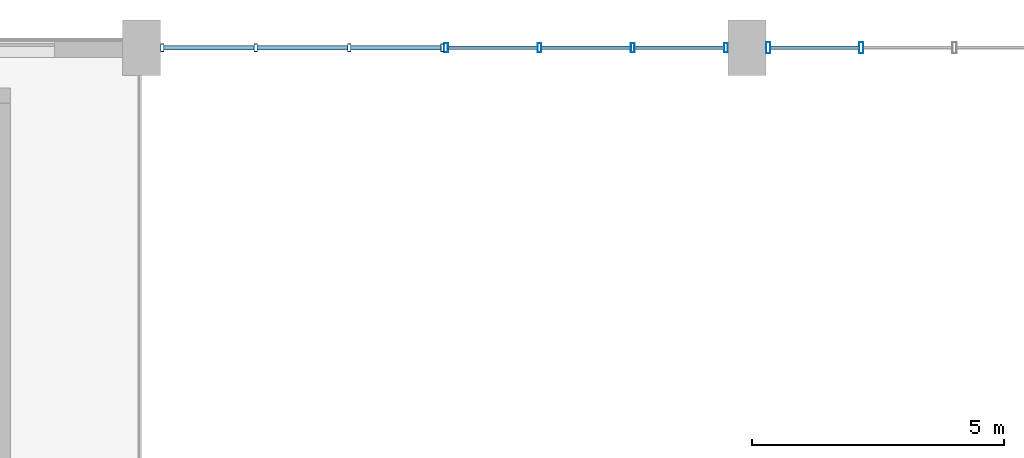
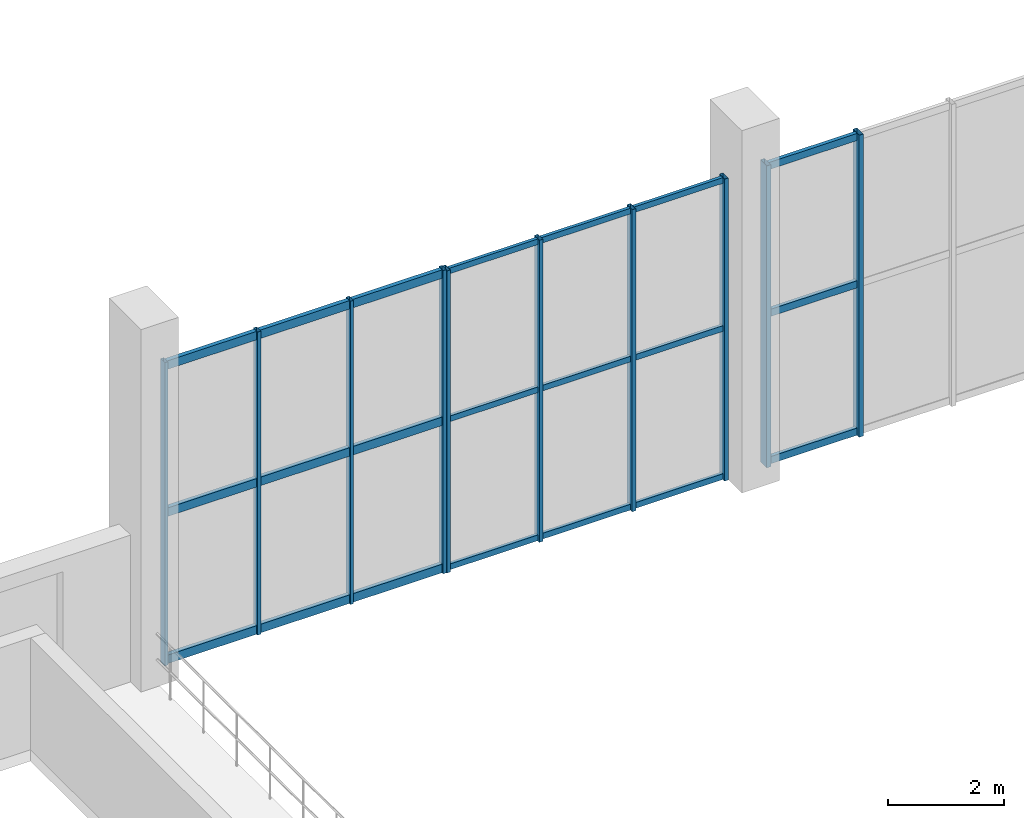
# One storey, part 14 of 28: 31 members, 3 elements without a shape of their own.
"""IFC4 building model written with IfcOpenShell, lengths in metres."""

from ifc_helpers import new_model, si_unit, direction, frame, origin, origin_2d, place, context, subcontext, project, spatial, hollow_rectangle, extrude, material, layer, layer_set, material_profile, profile_set, type_object, element, aggregate, save


model = new_model("IFC4")

# Units and contexts
model_context = context("Model", 3, precision=1e-05, world=origin(), true_north=direction((0.0, 1.0)))
body_context = subcontext(model_context, "Body", "Model", "MODEL_VIEW")
ifc_project = project(units=[si_unit("LENGTHUNIT", "METRE"), si_unit("AREAUNIT", "SQUARE_METRE"), si_unit("VOLUMEUNIT", "CUBIC_METRE"), si_unit("PLANEANGLEUNIT", "RADIAN"), si_unit("MASSUNIT", "GRAM", prefix="KILO"), si_unit("POWERUNIT", "WATT"), si_unit("THERMODYNAMICTEMPERATUREUNIT", "KELVIN")], contexts=[model_context])

# Site, building, storey
site_placement = place(None, origin())
site = spatial("IfcSite", under=ifc_project, at=site_placement, CompositionType="ELEMENT")
building_placement = place(site_placement, origin())
building = spatial("IfcBuilding", under=site, at=building_placement, Name="Kelmbourne Parkland Aquatics Centre", CompositionType="ELEMENT")
storey_placement = place(building_placement, frame((0.0, 0.0, 19.199951171875)))
storey = spatial("IfcBuildingStorey", under=building, at=storey_placement, Name="L04", CompositionType="ELEMENT", Elevation=19.199951171875)

# Curtain wall, members
ifc_material = material(Name="Thermally broken anodised aluminium framing", Category="aluminium")
ifc_layer_1 = layer(ifc_material, 0.179931640625)
ifc_layer_set_1 = layer_set([ifc_layer_1], Name="Thermally broken anodised aluminium framing")
curtain_wall_type_1 = type_object("IfcCurtainWallType", Name="CW-11", PredefinedType="NOTDEFINED", material=ifc_layer_set_1)
curtain_wall_1_placement = place(storey_placement, origin())
curtain_wall_1 = element("IfcCurtainWall", 1, at=curtain_wall_1_placement, inside=storey, type_object=curtain_wall_type_1, Name="Wave-hall clerestory curtain wall CW-L04-155", PredefinedType="NOTDEFINED")
ifc_material_profile_1 = material_profile(ifc_material, hollow_rectangle(XDim=0.06494140625, YDim=0.14990234375, WallThickness=0.00390625, at=origin_2d()), Name="CW-M 65x150")
ifc_profile_set_1 = profile_set([ifc_material_profile_1], Name="Thermally broken anodised aluminium framing")
member_type_1 = type_object("IfcMemberType", Name="MB-MUL-1", PredefinedType="MULLION", material=ifc_profile_set_1)
member_1_placement = place(storey_placement, frame((140.409423828125, 114.800048828125, 0.0), z_axis=(0.0, 0.0, 1.0), x_axis=(1.0, 0.0, 0.0)))
member_1 = element("IfcMember", 2, at=member_1_placement, type_object=member_type_1, Name="CW-L04-155 mullion 0", PredefinedType="MULLION", context=body_context, shape_type="SweptSolid", body=[
    extrude(hollow_rectangle(XDim=0.06494140625, YDim=0.14990234375, WallThickness=0.00390625, at=origin_2d()), origin(), (0.0, 0.0, 1.0), 6.400634765625),
])
member_2_placement = place(storey_placement, frame((142.26220703125, 114.800048828125, 0.0), z_axis=(0.0, 0.0, 1.0), x_axis=(1.0, 0.0, 0.0)))
member_2 = element("IfcMember", 3, at=member_2_placement, type_object=member_type_1, Name="CW-L04-155 mullion 1", PredefinedType="MULLION", context=body_context, shape_type="SweptSolid", body=[
    extrude(hollow_rectangle(XDim=0.06494140625, YDim=0.14990234375, WallThickness=0.00390625, at=origin_2d()), origin(), (0.0, 0.0, 1.0), 6.400634765625),
])
member_3_placement = place(storey_placement, frame((144.11474609375, 114.800048828125, 0.0), z_axis=(0.0, 0.0, 1.0), x_axis=(1.0, 0.0, 0.0)))
member_3 = element("IfcMember", 4, at=member_3_placement, type_object=member_type_1, Name="CW-L04-155 mullion 2", PredefinedType="MULLION", context=body_context, shape_type="SweptSolid", body=[
    extrude(hollow_rectangle(XDim=0.06494140625, YDim=0.14990234375, WallThickness=0.00390625, at=origin_2d()), origin(), (0.0, 0.0, 1.0), 6.400634765625),
])
member_4_placement = place(storey_placement, frame((145.967529296875, 114.800048828125, 0.0), z_axis=(0.0, 0.0, 1.0), x_axis=(1.0, 0.0, 0.0)))
member_4 = element("IfcMember", 5, at=member_4_placement, type_object=member_type_1, Name="CW-L04-155 mullion 3", PredefinedType="MULLION", context=body_context, shape_type="SweptSolid", body=[
    extrude(hollow_rectangle(XDim=0.06494140625, YDim=0.14990234375, WallThickness=0.00390625, at=origin_2d()), origin(), (0.0, 0.0, 1.0), 6.400634765625),
])

ifc_layer_2 = layer(ifc_material, 0.179931640625)
ifc_layer_set_2 = layer_set([ifc_layer_2], Name="Thermally broken anodised aluminium framing")
curtain_wall_type_2 = type_object("IfcCurtainWallType", Name="CW-12", PredefinedType="NOTDEFINED", material=ifc_layer_set_2)
curtain_wall_2_placement = place(storey_placement, origin())
curtain_wall_2 = element("IfcCurtainWall", 6, at=curtain_wall_2_placement, inside=storey, type_object=curtain_wall_type_2, Name="Wave-hall clerestory curtain wall CW-L04-156", PredefinedType="NOTDEFINED")
ifc_material_profile_2 = material_profile(ifc_material, hollow_rectangle(XDim=0.074951171875, YDim=0.179931640625, WallThickness=0.00439453125, at=origin_2d()), Name="CW-M 75x180")
ifc_profile_set_2 = profile_set([ifc_material_profile_2], Name="Thermally broken anodised aluminium framing")
member_type_2 = type_object("IfcMemberType", Name="MB-MUL-2", PredefinedType="MULLION", material=ifc_profile_set_2)
member_5_placement = place(storey_placement, frame((146.03759765625, 114.800048828125, 0.0), z_axis=(0.0, 0.0, 1.0), x_axis=(1.0, 0.0, 0.0)))
member_5 = element("IfcMember", 7, at=member_5_placement, type_object=member_type_2, Name="CW-L04-156 mullion 0", PredefinedType="MULLION", context=body_context, shape_type="SweptSolid", body=[
    extrude(hollow_rectangle(XDim=0.074951171875, YDim=0.179931640625, WallThickness=0.00439453125, at=origin_2d()), origin(), (0.0, 0.0, 1.0), 6.376953125),
])
member_6_placement = place(storey_placement, frame((147.88671875, 114.800048828125, 0.0), z_axis=(0.0, 0.0, 1.0), x_axis=(1.0, 0.0, 0.0)))
member_6 = element("IfcMember", 8, at=member_6_placement, type_object=member_type_2, Name="CW-L04-156 mullion 1", PredefinedType="MULLION", context=body_context, shape_type="SweptSolid", body=[
    extrude(hollow_rectangle(XDim=0.074951171875, YDim=0.179931640625, WallThickness=0.00439453125, at=origin_2d()), origin(), (0.0, 0.0, 1.0), 6.376953125),
])
member_7_placement = place(storey_placement, frame((149.736083984375, 114.800048828125, 0.0), z_axis=(0.0, 0.0, 1.0), x_axis=(1.0, 0.0, 0.0)))
member_7 = element("IfcMember", 9, at=member_7_placement, type_object=member_type_2, Name="CW-L04-156 mullion 2", PredefinedType="MULLION", context=body_context, shape_type="SweptSolid", body=[
    extrude(hollow_rectangle(XDim=0.074951171875, YDim=0.179931640625, WallThickness=0.00439453125, at=origin_2d()), origin(), (0.0, 0.0, 1.0), 6.376953125),
])
member_8_placement = place(storey_placement, frame((151.58544921875, 114.800048828125, 0.0), z_axis=(0.0, 0.0, 1.0), x_axis=(1.0, 0.0, 0.0)))
member_8 = element("IfcMember", 10, at=member_8_placement, type_object=member_type_2, Name="CW-L04-156 mullion 3", PredefinedType="MULLION", context=body_context, shape_type="SweptSolid", body=[
    extrude(hollow_rectangle(XDim=0.074951171875, YDim=0.179931640625, WallThickness=0.00439453125, at=origin_2d()), origin(), (0.0, 0.0, 1.0), 6.376953125),
])

ifc_layer_3 = layer(ifc_material, 0.179931640625)
ifc_layer_set_3 = layer_set([ifc_layer_3], Name="Thermally broken anodised aluminium framing")
curtain_wall_type_3 = type_object("IfcCurtainWallType", Name="CW-13", PredefinedType="NOTDEFINED", material=ifc_layer_set_3)
curtain_wall_3_placement = place(storey_placement, origin())
curtain_wall_3 = element("IfcCurtainWall", 11, at=curtain_wall_3_placement, inside=storey, type_object=curtain_wall_type_3, Name="Wave-hall clerestory curtain wall CW-L04-157", PredefinedType="NOTDEFINED")
ifc_material_profile_3 = material_profile(ifc_material, hollow_rectangle(XDim=0.0849609375, YDim=0.219970703125, WallThickness=0.0048828125, at=origin_2d()), Name="CW-M 85x220")
ifc_profile_set_3 = profile_set([ifc_material_profile_3], Name="Thermally broken anodised aluminium framing")
member_type_3 = type_object("IfcMemberType", Name="MB-MUL-3", PredefinedType="MULLION", material=ifc_profile_set_3)
member_9_placement = place(storey_placement, frame((152.41943359375, 114.800048828125, 0.0), z_axis=(0.0, 0.0, 1.0), x_axis=(1.0, 0.0, 0.0)))
member_9 = element("IfcMember", 12, at=member_9_placement, type_object=member_type_3, Name="CW-L04-157 mullion 0", PredefinedType="MULLION", context=body_context, shape_type="SweptSolid", body=[
    extrude(hollow_rectangle(XDim=0.0849609375, YDim=0.219970703125, WallThickness=0.0048828125, at=origin_2d()), origin(), (0.0, 0.0, 1.0), 6.376953125),
])
member_10_placement = place(storey_placement, frame((154.265380859375, 114.800048828125, 0.0), z_axis=(0.0, 0.0, 1.0), x_axis=(1.0, 0.0, 0.0)))
member_10 = element("IfcMember", 13, at=member_10_placement, type_object=member_type_3, Name="CW-L04-157 mullion 1", PredefinedType="MULLION", context=body_context, shape_type="SweptSolid", body=[
    extrude(hollow_rectangle(XDim=0.0849609375, YDim=0.219970703125, WallThickness=0.0048828125, at=origin_2d()), origin(), (0.0, 0.0, 1.0), 6.376953125),
])

# Member
ifc_material_profile_4 = material_profile(ifc_material, hollow_rectangle(XDim=0.06494140625, YDim=0.1201171875, WallThickness=0.00341796875, at=origin_2d()), Name="CW-T 65x120")
ifc_profile_set_4 = profile_set([ifc_material_profile_4], Name="Thermally broken anodised aluminium framing")
member_type_4 = type_object("IfcMemberType", Name="MB-TRN-1", PredefinedType="USERDEFINED", material=ifc_profile_set_4)
member_11_placement = place(storey_placement, frame((146.071044921875, 114.800048828125, 0.06298828125), z_axis=(1.0, 0.0, 0.0), x_axis=(0.0, 1.0, 0.0)))
member_11 = element("IfcMember", 14, at=member_11_placement, type_object=member_type_4, Name="CW-L04-156 transom 0-0", ObjectType="TRANSOM", PredefinedType="USERDEFINED", context=body_context, shape_type="SweptSolid", body=[
    extrude(hollow_rectangle(XDim=0.06494140625, YDim=0.1201171875, WallThickness=0.00341796875, at=origin_2d()), origin(), (0.0, 0.0, 1.0), 1.7822265625),
])

member_12_placement = place(storey_placement, frame((147.92041015625, 114.800048828125, 0.06298828125), z_axis=(1.0, 0.0, 0.0), x_axis=(0.0, 1.0, 0.0)))
member_12 = element("IfcMember", 15, at=member_12_placement, type_object=member_type_4, Name="CW-L04-156 transom 0-1", ObjectType="TRANSOM", PredefinedType="USERDEFINED", context=body_context, shape_type="SweptSolid", body=[
    extrude(hollow_rectangle(XDim=0.06494140625, YDim=0.1201171875, WallThickness=0.00341796875, at=origin_2d()), origin(), (0.0, 0.0, 1.0), 1.7822265625),
])

member_13_placement = place(storey_placement, frame((149.769775390625, 114.800048828125, 0.06298828125), z_axis=(1.0, 0.0, 0.0), x_axis=(0.0, 1.0, 0.0)))
member_13 = element("IfcMember", 16, at=member_13_placement, type_object=member_type_4, Name="CW-L04-156 transom 0-2", ObjectType="TRANSOM", PredefinedType="USERDEFINED", context=body_context, shape_type="SweptSolid", body=[
    extrude(hollow_rectangle(XDim=0.06494140625, YDim=0.1201171875, WallThickness=0.00341796875, at=origin_2d()), origin(), (0.0, 0.0, 1.0), 1.7822265625),
])

member_14_placement = place(storey_placement, frame((146.071044921875, 114.800048828125, 3.1884765625), z_axis=(1.0, 0.0, 0.0), x_axis=(0.0, 1.0, 0.0)))
member_14 = element("IfcMember", 17, at=member_14_placement, type_object=member_type_4, Name="CW-L04-156 transom 1-0", ObjectType="TRANSOM", PredefinedType="USERDEFINED", context=body_context, shape_type="SweptSolid", body=[
    extrude(hollow_rectangle(XDim=0.06494140625, YDim=0.1201171875, WallThickness=0.00341796875, at=origin_2d()), origin(), (0.0, 0.0, 1.0), 1.7822265625),
])

member_15_placement = place(storey_placement, frame((147.92041015625, 114.800048828125, 3.1884765625), z_axis=(1.0, 0.0, 0.0), x_axis=(0.0, 1.0, 0.0)))
member_15 = element("IfcMember", 18, at=member_15_placement, type_object=member_type_4, Name="CW-L04-156 transom 1-1", ObjectType="TRANSOM", PredefinedType="USERDEFINED", context=body_context, shape_type="SweptSolid", body=[
    extrude(hollow_rectangle(XDim=0.06494140625, YDim=0.1201171875, WallThickness=0.00341796875, at=origin_2d()), origin(), (0.0, 0.0, 1.0), 1.7822265625),
])

member_16_placement = place(storey_placement, frame((149.769775390625, 114.800048828125, 3.1884765625), z_axis=(1.0, 0.0, 0.0), x_axis=(0.0, 1.0, 0.0)))
member_16 = element("IfcMember", 19, at=member_16_placement, type_object=member_type_4, Name="CW-L04-156 transom 1-2", ObjectType="TRANSOM", PredefinedType="USERDEFINED", context=body_context, shape_type="SweptSolid", body=[
    extrude(hollow_rectangle(XDim=0.06494140625, YDim=0.1201171875, WallThickness=0.00341796875, at=origin_2d()), origin(), (0.0, 0.0, 1.0), 1.7822265625),
])

member_17_placement = place(storey_placement, frame((146.071044921875, 114.800048828125, 6.31396484375), z_axis=(1.0, 0.0, 0.0), x_axis=(0.0, 1.0, 0.0)))
member_17 = element("IfcMember", 20, at=member_17_placement, type_object=member_type_4, Name="CW-L04-156 transom 2-0", ObjectType="TRANSOM", PredefinedType="USERDEFINED", context=body_context, shape_type="SweptSolid", body=[
    extrude(hollow_rectangle(XDim=0.06494140625, YDim=0.1201171875, WallThickness=0.00341796875, at=origin_2d()), origin(), (0.0, 0.0, 1.0), 1.7822265625),
])

member_18_placement = place(storey_placement, frame((147.92041015625, 114.800048828125, 6.31396484375), z_axis=(1.0, 0.0, 0.0), x_axis=(0.0, 1.0, 0.0)))
member_18 = element("IfcMember", 21, at=member_18_placement, type_object=member_type_4, Name="CW-L04-156 transom 2-1", ObjectType="TRANSOM", PredefinedType="USERDEFINED", context=body_context, shape_type="SweptSolid", body=[
    extrude(hollow_rectangle(XDim=0.06494140625, YDim=0.1201171875, WallThickness=0.00341796875, at=origin_2d()), origin(), (0.0, 0.0, 1.0), 1.7822265625),
])

member_19_placement = place(storey_placement, frame((149.769775390625, 114.800048828125, 6.31396484375), z_axis=(1.0, 0.0, 0.0), x_axis=(0.0, 1.0, 0.0)))
member_19 = element("IfcMember", 22, at=member_19_placement, type_object=member_type_4, Name="CW-L04-156 transom 2-2", ObjectType="TRANSOM", PredefinedType="USERDEFINED", context=body_context, shape_type="SweptSolid", body=[
    extrude(hollow_rectangle(XDim=0.06494140625, YDim=0.1201171875, WallThickness=0.00341796875, at=origin_2d()), origin(), (0.0, 0.0, 1.0), 1.7822265625),
])

aggregate(curtain_wall_2, [member_5, member_6, member_7, member_8, member_11, member_12, member_13, member_14, member_15, member_16, member_17, member_18, member_19])

ifc_material_profile_5 = material_profile(ifc_material, hollow_rectangle(XDim=0.074951171875, YDim=0.14990234375, WallThickness=0.00390625, at=origin_2d()), Name="CW-T 75x150")
ifc_profile_set_5 = profile_set([ifc_material_profile_5], Name="Thermally broken anodised aluminium framing")
member_type_5 = type_object("IfcMemberType", Name="MB-TRN-2", PredefinedType="USERDEFINED", material=ifc_profile_set_5)
member_20_placement = place(storey_placement, frame((152.4580078125, 114.800048828125, 0.078125), z_axis=(1.0, 0.0, 0.0), x_axis=(0.0, 1.0, 0.0)))
member_20 = element("IfcMember", 23, at=member_20_placement, type_object=member_type_5, Name="CW-L04-157 transom 0-0", ObjectType="TRANSOM", PredefinedType="USERDEFINED", context=body_context, shape_type="SweptSolid", body=[
    extrude(hollow_rectangle(XDim=0.074951171875, YDim=0.14990234375, WallThickness=0.00390625, at=origin_2d()), origin(), (0.0, 0.0, 1.0), 1.76904296875),
])

member_21_placement = place(storey_placement, frame((152.4580078125, 114.800048828125, 3.1884765625), z_axis=(1.0, 0.0, 0.0), x_axis=(0.0, 1.0, 0.0)))
member_21 = element("IfcMember", 24, at=member_21_placement, type_object=member_type_5, Name="CW-L04-157 transom 1-0", ObjectType="TRANSOM", PredefinedType="USERDEFINED", context=body_context, shape_type="SweptSolid", body=[
    extrude(hollow_rectangle(XDim=0.074951171875, YDim=0.14990234375, WallThickness=0.00390625, at=origin_2d()), origin(), (0.0, 0.0, 1.0), 1.76904296875),
])

member_22_placement = place(storey_placement, frame((152.4580078125, 114.800048828125, 6.299072265625), z_axis=(1.0, 0.0, 0.0), x_axis=(0.0, 1.0, 0.0)))
member_22 = element("IfcMember", 25, at=member_22_placement, type_object=member_type_5, Name="CW-L04-157 transom 2-0", ObjectType="TRANSOM", PredefinedType="USERDEFINED", context=body_context, shape_type="SweptSolid", body=[
    extrude(hollow_rectangle(XDim=0.074951171875, YDim=0.14990234375, WallThickness=0.00390625, at=origin_2d()), origin(), (0.0, 0.0, 1.0), 1.76904296875),
])

aggregate(curtain_wall_3, [member_9, member_10, member_20, member_21, member_22])

ifc_material_profile_6 = material_profile(ifc_material, hollow_rectangle(XDim=0.0849609375, YDim=0.179931640625, WallThickness=0.00439453125, at=origin_2d()), Name="CW-T 85x180")
ifc_profile_set_6 = profile_set([ifc_material_profile_6], Name="Thermally broken anodised aluminium framing")
member_type_6 = type_object("IfcMemberType", Name="MB-TRN-3", PredefinedType="USERDEFINED", material=ifc_profile_set_6)
member_23_placement = place(storey_placement, frame((140.43798828125, 114.800048828125, 0.093017578125), z_axis=(1.0, 0.0, 0.0), x_axis=(0.0, 1.0, 0.0)))
member_23 = element("IfcMember", 26, at=member_23_placement, type_object=member_type_6, Name="CW-L04-155 transom 0-0", ObjectType="TRANSOM", PredefinedType="USERDEFINED", context=body_context, shape_type="SweptSolid", body=[
    extrude(hollow_rectangle(XDim=0.0849609375, YDim=0.179931640625, WallThickness=0.00439453125, at=origin_2d()), origin(), (0.0, 0.0, 1.0), 1.795654296875),
])

member_24_placement = place(storey_placement, frame((142.290771484375, 114.800048828125, 0.093017578125), z_axis=(1.0, 0.0, 0.0), x_axis=(0.0, 1.0, 0.0)))
member_24 = element("IfcMember", 27, at=member_24_placement, type_object=member_type_6, Name="CW-L04-155 transom 0-1", ObjectType="TRANSOM", PredefinedType="USERDEFINED", context=body_context, shape_type="SweptSolid", body=[
    extrude(hollow_rectangle(XDim=0.0849609375, YDim=0.179931640625, WallThickness=0.00439453125, at=origin_2d()), origin(), (0.0, 0.0, 1.0), 1.79541015625),
])

member_25_placement = place(storey_placement, frame((144.143310546875, 114.800048828125, 0.093017578125), z_axis=(1.0, 0.0, 0.0), x_axis=(0.0, 1.0, 0.0)))
member_25 = element("IfcMember", 28, at=member_25_placement, type_object=member_type_6, Name="CW-L04-155 transom 0-2", ObjectType="TRANSOM", PredefinedType="USERDEFINED", context=body_context, shape_type="SweptSolid", body=[
    extrude(hollow_rectangle(XDim=0.0849609375, YDim=0.179931640625, WallThickness=0.00439453125, at=origin_2d()), origin(), (0.0, 0.0, 1.0), 1.795654296875),
])

member_26_placement = place(storey_placement, frame((140.43798828125, 114.800048828125, 3.200439453125), z_axis=(1.0, 0.0, 0.0), x_axis=(0.0, 1.0, 0.0)))
member_26 = element("IfcMember", 29, at=member_26_placement, type_object=member_type_6, Name="CW-L04-155 transom 1-0", ObjectType="TRANSOM", PredefinedType="USERDEFINED", context=body_context, shape_type="SweptSolid", body=[
    extrude(hollow_rectangle(XDim=0.0849609375, YDim=0.179931640625, WallThickness=0.00439453125, at=origin_2d()), origin(), (0.0, 0.0, 1.0), 1.795654296875),
])

member_27_placement = place(storey_placement, frame((142.290771484375, 114.800048828125, 3.200439453125), z_axis=(1.0, 0.0, 0.0), x_axis=(0.0, 1.0, 0.0)))
member_27 = element("IfcMember", 30, at=member_27_placement, type_object=member_type_6, Name="CW-L04-155 transom 1-1", ObjectType="TRANSOM", PredefinedType="USERDEFINED", context=body_context, shape_type="SweptSolid", body=[
    extrude(hollow_rectangle(XDim=0.0849609375, YDim=0.179931640625, WallThickness=0.00439453125, at=origin_2d()), origin(), (0.0, 0.0, 1.0), 1.79541015625),
])

member_28_placement = place(storey_placement, frame((144.143310546875, 114.800048828125, 3.200439453125), z_axis=(1.0, 0.0, 0.0), x_axis=(0.0, 1.0, 0.0)))
member_28 = element("IfcMember", 31, at=member_28_placement, type_object=member_type_6, Name="CW-L04-155 transom 1-2", ObjectType="TRANSOM", PredefinedType="USERDEFINED", context=body_context, shape_type="SweptSolid", body=[
    extrude(hollow_rectangle(XDim=0.0849609375, YDim=0.179931640625, WallThickness=0.00439453125, at=origin_2d()), origin(), (0.0, 0.0, 1.0), 1.795654296875),
])

member_29_placement = place(storey_placement, frame((140.43798828125, 114.800048828125, 6.3076171875), z_axis=(1.0, 0.0, 0.0), x_axis=(0.0, 1.0, 0.0)))
member_29 = element("IfcMember", 32, at=member_29_placement, type_object=member_type_6, Name="CW-L04-155 transom 2-0", ObjectType="TRANSOM", PredefinedType="USERDEFINED", context=body_context, shape_type="SweptSolid", body=[
    extrude(hollow_rectangle(XDim=0.0849609375, YDim=0.179931640625, WallThickness=0.00439453125, at=origin_2d()), origin(), (0.0, 0.0, 1.0), 1.795654296875),
])

member_30_placement = place(storey_placement, frame((142.290771484375, 114.800048828125, 6.3076171875), z_axis=(1.0, 0.0, 0.0), x_axis=(0.0, 1.0, 0.0)))
member_30 = element("IfcMember", 33, at=member_30_placement, type_object=member_type_6, Name="CW-L04-155 transom 2-1", ObjectType="TRANSOM", PredefinedType="USERDEFINED", context=body_context, shape_type="SweptSolid", body=[
    extrude(hollow_rectangle(XDim=0.0849609375, YDim=0.179931640625, WallThickness=0.00439453125, at=origin_2d()), origin(), (0.0, 0.0, 1.0), 1.79541015625),
])

member_31_placement = place(storey_placement, frame((144.143310546875, 114.800048828125, 6.3076171875), z_axis=(1.0, 0.0, 0.0), x_axis=(0.0, 1.0, 0.0)))
member_31 = element("IfcMember", 34, at=member_31_placement, type_object=member_type_6, Name="CW-L04-155 transom 2-2", ObjectType="TRANSOM", PredefinedType="USERDEFINED", context=body_context, shape_type="SweptSolid", body=[
    extrude(hollow_rectangle(XDim=0.0849609375, YDim=0.179931640625, WallThickness=0.00439453125, at=origin_2d()), origin(), (0.0, 0.0, 1.0), 1.795654296875),
])

aggregate(curtain_wall_1, [member_1, member_2, member_3, member_4, member_23, member_24, member_25, member_26, member_27, member_28, member_29, member_30, member_31])

save(model, "model.ifc")
